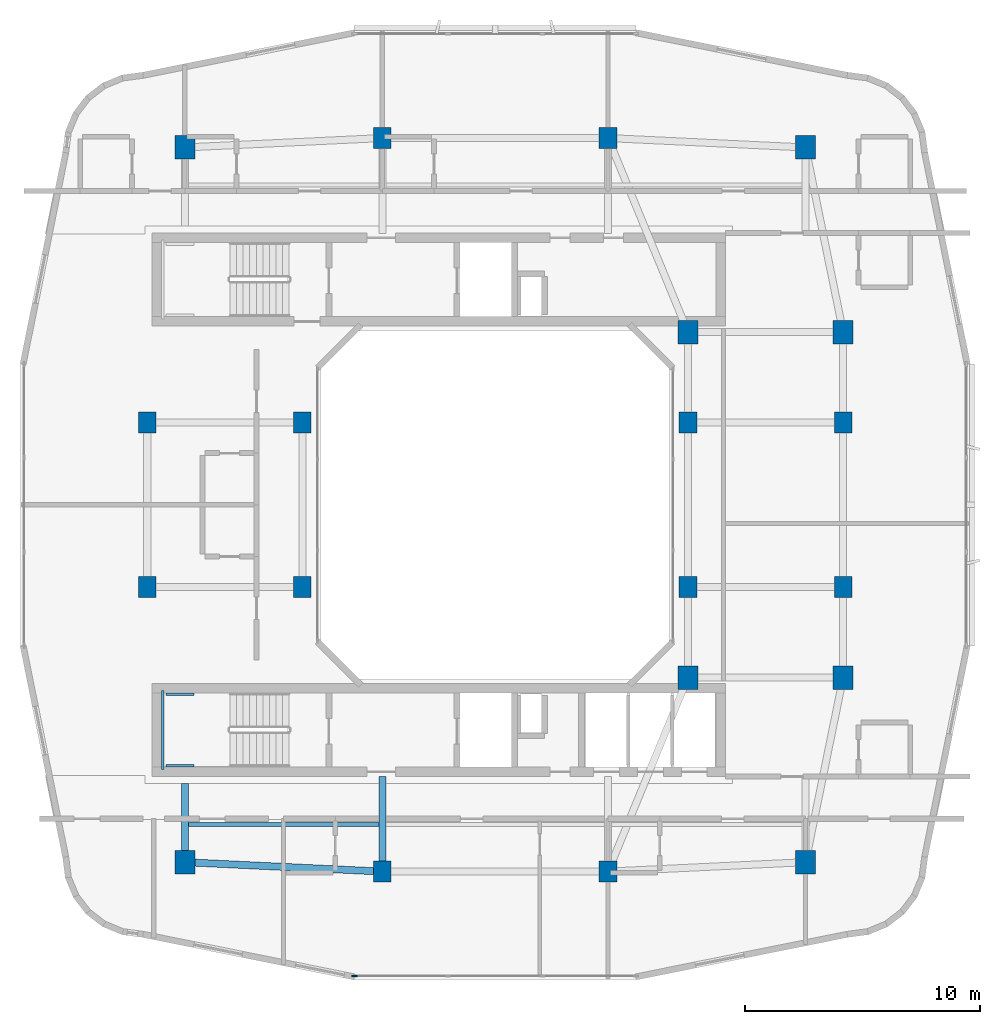
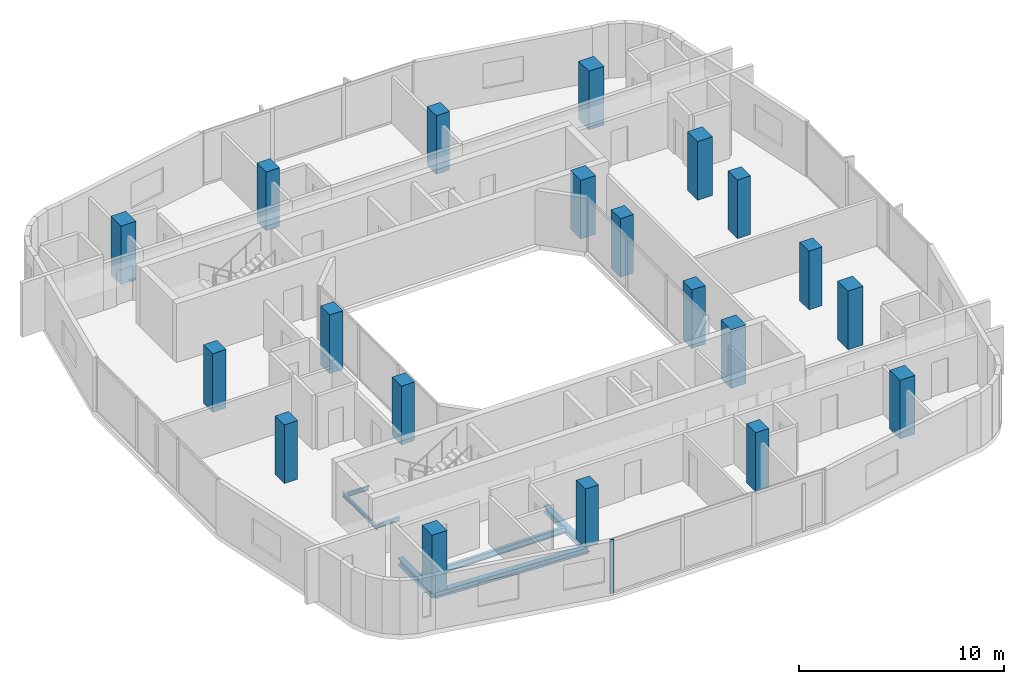
# One storey, part 1 of 14: 20 columns, 7 beams, 1 member, 1 element without a shape of its own.
"""IFC4 building model written with IfcOpenShell, lengths in metres."""

from ifc_helpers import new_model, si_unit, derived_unit, direction, frame, origin, origin_2d, place, context, subcontext, project, spatial, rectangle, i_section, extrude, material, layer, layer_set, material_profile, profile_set, type_object, element, aggregate, save


model = new_model("IFC4")

# Units and contexts
model_context = context("Model", 3, precision=1e-05, world=origin(), true_north=direction((0.0, 1.0)))
body_context = subcontext(model_context, "Body", "Model", "MODEL_VIEW")
ifc_project = project(units=[si_unit("LENGTHUNIT", "METRE"), si_unit("AREAUNIT", "SQUARE_METRE"), si_unit("VOLUMEUNIT", "CUBIC_METRE"), si_unit("PLANEANGLEUNIT", "RADIAN"), si_unit("MASSUNIT", "GRAM", prefix="KILO"), derived_unit("THERMALTRANSMITTANCEUNIT", [(si_unit("POWERUNIT", "WATT"), 1), (si_unit("LENGTHUNIT", "METRE"), -2), (si_unit("THERMODYNAMICTEMPERATUREUNIT", "KELVIN"), -1)])], contexts=[model_context])

# Site, building, storey
site_placement = place(None, origin())
site = spatial("IfcSite", under=ifc_project, at=site_placement, CompositionType="ELEMENT")
building_placement = place(site_placement, origin())
building = spatial("IfcBuilding", under=site, at=building_placement, Name="Kivonza Crest Hotel", CompositionType="ELEMENT")
storey_placement = place(building_placement, frame((0.0, 0.0, 162.5)))
storey = spatial("IfcBuildingStorey", under=building, at=storey_placement, Name="L44", CompositionType="ELEMENT", Elevation=162.5)

# Columns
ifc_material_1 = material(Name="Concrete C50/60", Category="concrete")
ifc_material_profile_1 = material_profile(ifc_material_1, rectangle(XDim=0.85009765625, YDim=1.0, at=origin_2d()), Name="RC 1000x850")
ifc_profile_set_1 = profile_set([ifc_material_profile_1], Name="Concrete C50/60")
column_type_1 = type_object("IfcColumnType", Name="CL-RC-1000x850", PredefinedType="COLUMN", material=ifc_profile_set_1)
for number, where, z_axis, x_axis, name in (
    (1, (7.800048828125, 9.800048828125, 0.0), (0.0, 0.0, 1.0), (1.0, 0.0, 0.0), "Tower T1 L44 column SW"),
    (2, (34.199951171875, 9.800048828125, 0.0), (0.0, 0.0, 1.0), (1.0, 0.0, 0.0), "Tower T1 L44 column SE"),
    (3, (34.199951171875, 40.199951171875, 0.0), (0.0, 0.0, 1.0), (1.0, 0.0, 0.0), "Tower T1 L44 column NE"),
    (4, (7.800048828125, 40.199951171875, 0.0), (0.0, 0.0, 1.0), (1.0, 0.0, 0.0), "Tower T1 L44 column NW"),
    (5, (35.800048828125, 17.64990234375, 0.0), (0.0, 0.0, 1.0), (1.0, 0.0, 0.0), "Tower T1 L44 column PSE"),
    (6, (35.800048828125, 32.35009765625, 0.0), (0.0, 0.0, 1.0), (1.0, 0.0, 0.0), "Tower T1 L44 column PNE"),
    (7, (29.199951171875, 17.64990234375, 0.0), (0.0, 0.0, 1.0), (1.0, 0.0, 0.0), "Tower T1 L44 column TSE"),
    (8, (29.199951171875, 32.35009765625, 0.0), (0.0, 0.0, 1.0), (1.0, 0.0, 0.0), "Tower T1 L44 column TNE"),
):
    element("IfcColumn", number, at=place(storey_placement, frame(where, z_axis=z_axis, x_axis=x_axis)), inside=storey, type_object=column_type_1, Name=name, PredefinedType="COLUMN", context=body_context, shape_type="SweptSolid", body=[
        extrude(rectangle(XDim=0.85009765625, YDim=1.0, at=origin_2d()), origin(), (0.0, 0.0, 1.0), 3.5),
    ])
ifc_material_profile_2 = material_profile(ifc_material_1, rectangle(XDim=0.75, YDim=0.89990234375, at=origin_2d()), Name="RC 900x750")
ifc_profile_set_2 = profile_set([ifc_material_profile_2], Name="Concrete C50/60")
column_type_2 = type_object("IfcColumnType", Name="CL-RC-900x750", PredefinedType="COLUMN", material=ifc_profile_set_2)
for number, where, z_axis, x_axis, name in (
    (9, (16.199951171875, 9.39990234375, 0.0), (0.0, 0.0, 1.0), (1.0, 0.0, 0.0), "Tower T1 L44 column S1"),
    (10, (25.800048828125, 9.39990234375, 0.0), (0.0, 0.0, 1.0), (1.0, 0.0, 0.0), "Tower T1 L44 column S2"),
    (11, (16.199951171875, 40.60009765625, 0.0), (0.0, 0.0, 1.0), (1.0, 0.0, 0.0), "Tower T1 L44 column N1"),
    (12, (25.800048828125, 40.60009765625, 0.0), (0.0, 0.0, 1.0), (1.0, 0.0, 0.0), "Tower T1 L44 column N2"),
    (13, (6.199951171875, 21.5, 0.0), (0.0, 0.0, 1.0), (1.0, 0.0, 0.0), "Tower T1 L44 column W1"),
    (14, (6.199951171875, 28.5, 0.0), (0.0, 0.0, 1.0), (1.0, 0.0, 0.0), "Tower T1 L44 column W2"),
    (15, (35.800048828125, 21.5, 0.0), (0.0, 0.0, 1.0), (1.0, 0.0, 0.0), "Tower T1 L44 column E1"),
    (16, (35.800048828125, 28.5, 0.0), (0.0, 0.0, 1.0), (1.0, 0.0, 0.0), "Tower T1 L44 column E2"),
    (17, (12.800048828125, 21.5, 0.0), (0.0, 0.0, 1.0), (1.0, 0.0, 0.0), "Tower T1 L44 column WL1"),
    (18, (12.800048828125, 28.5, 0.0), (0.0, 0.0, 1.0), (1.0, 0.0, 0.0), "Tower T1 L44 column WL2"),
    (19, (29.199951171875, 21.5, 0.0), (0.0, 0.0, 1.0), (1.0, 0.0, 0.0), "Tower T1 L44 column WR1"),
    (20, (29.199951171875, 28.5, 0.0), (0.0, 0.0, 1.0), (1.0, 0.0, 0.0), "Tower T1 L44 column WR2"),
):
    element("IfcColumn", number, at=place(storey_placement, frame(where, z_axis=z_axis, x_axis=x_axis)), inside=storey, type_object=column_type_2, Name=name, PredefinedType="COLUMN", context=body_context, shape_type="SweptSolid", body=[
        extrude(rectangle(XDim=0.75, YDim=0.89990234375, at=origin_2d()), origin(), (0.0, 0.0, 1.0), 3.5),
    ])

# Beams
ifc_material_2 = material(Name="Steel S355", Category="steel")
ifc_material_profile_3 = material_profile(ifc_material_2, i_section(OverallWidth=0.300048828125, OverallDepth=0.360107421875, WebThickness=0.012451171875, FlangeThickness=0.0224609375, FilletRadius=0.027099609375, at=origin_2d()), Name="HEB 360")
ifc_profile_set_3 = profile_set([ifc_material_profile_3], Name="Steel S355")
beam_type_1 = type_object("IfcBeamType", Name="BM-HEB360", PredefinedType="SPANDREL", material=ifc_profile_set_3)
beam_1_placement = place(storey_placement, frame((7.800048828125, 9.800048828125, -0.4599609375), z_axis=(0.998867283688, -0.047583080799, 0.0), x_axis=(0.047583080799, 0.998867283688, 0.0)))
element("IfcBeam", 21, at=beam_1_placement, inside=storey, type_object=beam_type_1, Name="Tower T1 L44 perimeter spandrel SW-S1", PredefinedType="SPANDREL", context=body_context, shape_type="SweptSolid", body=[
    extrude(i_section(OverallWidth=0.300048828125, OverallDepth=0.360107421875, WebThickness=0.012451171875, FlangeThickness=0.0224609375, FilletRadius=0.027099609375, at=origin_2d()), origin(), (0.0, 0.0, 1.0), 8.409423828125),
])
ifc_material_profile_4 = material_profile(ifc_material_2, i_section(OverallWidth=0.300048828125, OverallDepth=0.39990234375, WebThickness=0.013427734375, FlangeThickness=0.02392578125, FilletRadius=0.027099609375, at=origin_2d()), Name="HEB 400")
ifc_profile_set_4 = profile_set([ifc_material_profile_4], Name="Steel S355")
beam_type_2 = type_object("IfcBeamType", Name="BM-HEB400", PredefinedType="BEAM", material=ifc_profile_set_4)
beam_2_placement = place(storey_placement, frame((7.800048828125, 9.800048828125, -0.47998046875), z_axis=(0.0, 1.0, 0.0), x_axis=(-1.0, 0.0, 0.0)))
element("IfcBeam", 22, at=beam_2_placement, inside=storey, type_object=beam_type_2, Name="Tower T1 L44 radial core girder RSW", PredefinedType="BEAM", context=body_context, shape_type="SweptSolid", body=[
    extrude(i_section(OverallWidth=0.300048828125, OverallDepth=0.39990234375, WebThickness=0.013427734375, FlangeThickness=0.02392578125, FilletRadius=0.027099609375, at=origin_2d()), origin(), (0.0, 0.0, 1.0), 3.349853515625),
])
beam_3_placement = place(storey_placement, frame((16.199951171875, 9.39990234375, -0.47998046875), z_axis=(0.0, 1.0, 0.0), x_axis=(-1.0, 0.0, 0.0)))
element("IfcBeam", 23, at=beam_3_placement, inside=storey, type_object=beam_type_2, Name="Tower T1 L44 radial core girder RS1", PredefinedType="BEAM", context=body_context, shape_type="SweptSolid", body=[
    extrude(i_section(OverallWidth=0.300048828125, OverallDepth=0.39990234375, WebThickness=0.013427734375, FlangeThickness=0.02392578125, FilletRadius=0.027099609375, at=origin_2d()), origin(), (0.0, 0.0, 1.0), 4.050048828125),
])
ifc_material_profile_5 = material_profile(ifc_material_2, i_section(OverallWidth=0.169921875, OverallDepth=0.360107421875, WebThickness=0.008056640625, FlangeThickness=0.0126953125, FilletRadius=0.01806640625, at=origin_2d()), Name="IPE 360")
ifc_profile_set_5 = profile_set([ifc_material_profile_5], Name="Steel S355")
beam_type_3 = type_object("IfcBeamType", Name="BM-IPE360", PredefinedType="JOIST", material=ifc_profile_set_5)
beam_4_placement = place(storey_placement, frame((7.8798828125, 11.39990234375, -0.4599609375), z_axis=(1.0, 0.0, 0.0), x_axis=(0.0, 1.0, 0.0)))
element("IfcBeam", 24, at=beam_4_placement, inside=storey, type_object=beam_type_3, Name="Tower T1 L44 South-West floor joist", PredefinedType="JOIST", context=body_context, shape_type="SweptSolid", body=[
    extrude(i_section(OverallWidth=0.169921875, OverallDepth=0.360107421875, WebThickness=0.008056640625, FlangeThickness=0.0126953125, FilletRadius=0.01806640625, at=origin_2d()), origin(), (0.0, 0.0, 1.0), 8.240234375),
])
ifc_material_profile_6 = material_profile(ifc_material_2, i_section(OverallWidth=0.1201171875, OverallDepth=0.239990234375, WebThickness=0.006103515625, FlangeThickness=0.009765625, FilletRadius=0.014892578125, at=origin_2d()), Name="IPE 240")
ifc_profile_set_6 = profile_set([ifc_material_profile_6], Name="Steel S355")
beam_type_4 = type_object("IfcBeamType", Name="BM-LLDG-240", PredefinedType="BEAM", material=ifc_profile_set_6)
beam_5_placement = place(storey_placement, frame((6.860107421875, 13.739990234375, 1.429931640625), z_axis=(0.0, 1.0, 0.0), x_axis=(-1.0, 0.0, 0.0)))
element("IfcBeam", 25, at=beam_5_placement, inside=storey, type_object=beam_type_4, Name="Stair ST-T1-S L44 West landing corbel", PredefinedType="BEAM", context=body_context, shape_type="SweptSolid", body=[
    extrude(i_section(OverallWidth=0.1201171875, OverallDepth=0.239990234375, WebThickness=0.006103515625, FlangeThickness=0.009765625, FilletRadius=0.014892578125, at=origin_2d()), origin(), (0.0, 0.0, 1.0), 3.360107421875),
])
for number, where, z_axis, x_axis, name in (
    (26, (6.989990234375, 13.89990234375, 1.429931640625), (1.0, 0.0, 0.0), (0.0, 1.0, 0.0), "Stair ST-T1-S L44 South landing corbel"),
    (27, (6.989990234375, 16.93994140625, 1.429931640625), (1.0, 0.0, 0.0), (0.0, 1.0, 0.0), "Stair ST-T1-S L44 North landing corbel"),
):
    element("IfcBeam", number, at=place(storey_placement, frame(where, z_axis=z_axis, x_axis=x_axis)), inside=storey, type_object=beam_type_4, Name=name, PredefinedType="BEAM", context=body_context, shape_type="SweptSolid", body=[
        extrude(i_section(OverallWidth=0.1201171875, OverallDepth=0.239990234375, WebThickness=0.006103515625, FlangeThickness=0.009765625, FilletRadius=0.014892578125, at=origin_2d()), origin(), (0.0, 0.0, 1.0), 1.2099609375),
    ])

# Curtain wall, member
ifc_material_3 = material(Name="Anodised bronze aluminium and low-E double glazing", Category="aluminium")
ifc_layer = layer(ifc_material_3, 0.179931640625)
ifc_layer_set = layer_set([ifc_layer], Name="Anodised bronze aluminium and low-E double glazing")
curtain_wall_type = type_object("IfcCurtainWallType", Name="CW-SYS-3", PredefinedType="NOTDEFINED", material=ifc_layer_set)
curtain_wall_placement = place(storey_placement, origin())
curtain_wall = element("IfcCurtainWall", 28, at=curtain_wall_placement, inside=storey, type_object=curtain_wall_type, Name="L44 unitised curtain wall CW-T1-L44-08", PredefinedType="NOTDEFINED")
ifc_material_4 = material(Name="Anodised bronze aluminium", Category="aluminium")
ifc_material_profile_7 = material_profile(ifc_material_4, rectangle(XDim=0.074951171875, YDim=0.219970703125, at=origin_2d()), Name="CW-M 75x220")
ifc_profile_set_7 = profile_set([ifc_material_profile_7], Name="Anodised bronze aluminium")
member_type = type_object("IfcMemberType", Name="CW-MUL-75x220", PredefinedType="MULLION", material=ifc_profile_set_7)
member_placement = place(storey_placement, frame((15.017578125, 4.9599609375, 0.0), z_axis=(0.0, 0.0, 1.0), x_axis=(0.0, 1.0, 0.0)))
member = element("IfcMember", 29, at=member_placement, type_object=member_type, Name="CW-3 mullion 1", PredefinedType="MULLION", context=body_context, shape_type="SweptSolid", body=[
    extrude(rectangle(XDim=0.074951171875, YDim=0.219970703125, at=origin_2d()), origin(), (0.0, 0.0, 1.0), 3.219970703125),
])
aggregate(curtain_wall, [member])

save(model, "model.ifc")
